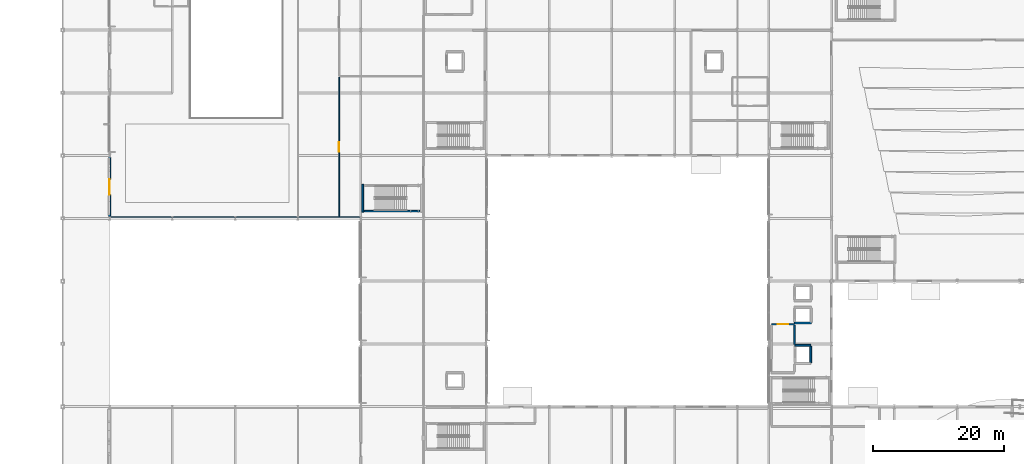
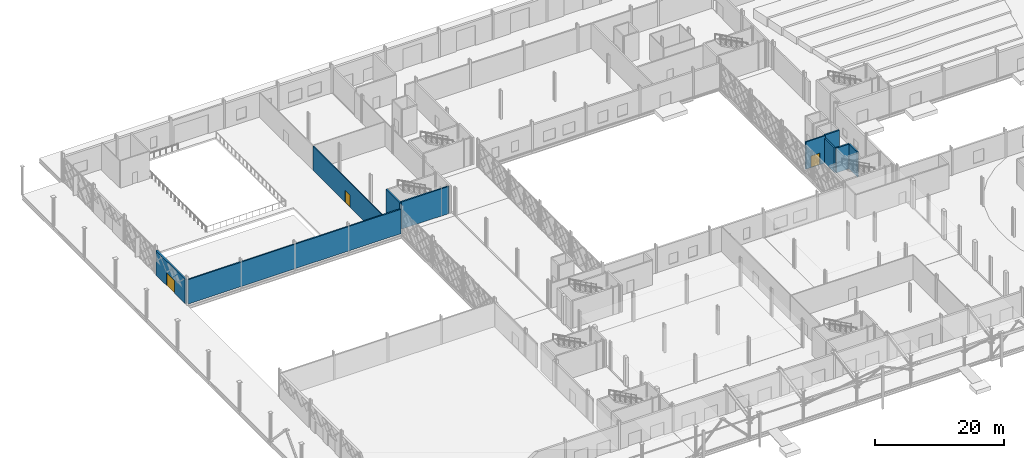
# One storey, part 54 of 84: 10 walls, 3 doors, 3 openings.
"""IFC4 building model written with IfcOpenShell, lengths in metres."""

from ifc_helpers import new_model, si_unit, direction, frame, frame_2d, origin, place, context, subcontext, project, spatial, rectangle, extrude, material, layer, layer_set, type_object, element, fill, save


model = new_model("IFC4")

# Units and contexts
model_context = context("Model", 3, precision=1e-05, world=origin(), true_north=direction((0.0, 1.0)))
body_context = subcontext(model_context, "Body", "Model", "MODEL_VIEW")
ifc_project = project(units=[si_unit("LENGTHUNIT", "METRE"), si_unit("AREAUNIT", "SQUARE_METRE"), si_unit("VOLUMEUNIT", "CUBIC_METRE"), si_unit("PLANEANGLEUNIT", "RADIAN"), si_unit("MASSUNIT", "GRAM", prefix="KILO")], contexts=[model_context])

# Site, building, storey
site_placement = place(None, origin())
site = spatial("IfcSite", under=ifc_project, at=site_placement, CompositionType="ELEMENT")
building_placement = place(site_placement, origin())
building = spatial("IfcBuilding", under=site, at=building_placement, Name="Zevrakil Square Congress Hotel", CompositionType="ELEMENT")
storey_placement = place(building_placement, origin())
storey = spatial("IfcBuildingStorey", under=building, at=storey_placement, Name="L01", CompositionType="ELEMENT", Elevation=0.0)

# Wall, opening, door
ifc_material_1 = material(Name="Concrete C35/45", Category="concrete")
ifc_layer_1 = layer(ifc_material_1, 0.239990234375)
ifc_layer_set_1 = layer_set([ifc_layer_1], Name="Concrete C35/45")
wall_type_1 = type_object("IfcWallType", Name="WAL-COMP-240", PredefinedType="SOLIDWALL", material=ifc_layer_set_1)
wall_1_placement = place(storey_placement, frame((108.39990234375, 58.199951171875, 0.0), z_axis=(0.0, 0.0, 1.0), x_axis=(1.0, 0.0, 0.0)))
wall_1 = element("IfcWall", 1, at=wall_1_placement, inside=storey, type_object=wall_type_1, Name="L01 interior partition PW-L01-0044", PredefinedType="SOLIDWALL", context=body_context, shape_type="SweptSolid", body=[
    extrude(rectangle(XDim=3.5, YDim=0.239990234375, at=frame_2d((1.75, 0.0))), origin(), (0.0, 0.0, 1.0), 5.139892578125),
])
opening_1_placement = place(wall_1_placement, frame((0.949951171875, 0.0, 0.0)))
opening_1 = element("IfcOpeningElement", 2, at=opening_1_placement, cuts=wall_1, Name="Opening FD90-D", PredefinedType="OPENING", context=body_context, shape_type="SweptSolid", body=[
    extrude(rectangle(XDim=1.60009765625, YDim=2.199951171875, at=frame_2d((0.800048828125, 1.10009765625))), frame((0.0, 0.1298828125, 0.0), z_axis=(0.0, -1.0, 0.0), x_axis=(1.0, 0.0, 0.0)), (0.0, 0.0, 1.0), 0.260009765625),
])
ifc_material_2 = material(Name="Steel S355 Double Fire Door", Category="steel")
door_type_1 = type_object("IfcDoorType", Name="DOR-FFLOB-FD90-160", OperationType="NOTDEFINED", PredefinedType="DOOR", material=ifc_material_2)
door_1_placement = place(opening_1_placement, origin())
door_1 = element("IfcDoor", 3, at=door_1_placement, inside=storey, type_object=door_type_1, Name="L01 interior door 14", OperationType="DOUBLE_DOOR_SINGLE_SWING", OverallHeight=2.199951171875, OverallWidth=1.60009765625, PredefinedType="DOOR", context=body_context, shape_type="SweptSolid", body=[
    extrude(rectangle(XDim=1.60009765625, YDim=2.199951171875, at=frame_2d((0.800048828125, 1.10009765625))), frame((0.0, 0.02490234375, 0.0), z_axis=(0.0, -1.0, 0.0), x_axis=(1.0, 0.0, 0.0)), (0.0, 0.0, 1.0), 0.050048828125),
])
fill(opening_1, door_1)

# Walls
wall_2_placement = place(storey_placement, frame((111.89990234375, 55.1201171875, 0.0), z_axis=(0.0, 0.0, 1.0), x_axis=(0.0, 1.0, 0.0)))
element("IfcWall", 4, at=wall_2_placement, inside=storey, type_object=wall_type_1, Name="L01 interior partition PW-L01-0046", PredefinedType="SOLIDWALL", context=body_context, shape_type="SweptSolid", body=[
    extrude(rectangle(XDim=2.954833984375, YDim=0.239990234375, at=frame_2d((1.4775390625, 0.0))), origin(), (0.0, 0.0, 1.0), 4.68505859375),
])
wall_3_placement = place(storey_placement, frame((7.449951171875, 74.5, 0.0), z_axis=(0.0, 0.0, 1.0), x_axis=(1.0, 0.0, 0.0)))
element("IfcWall", 5, at=wall_3_placement, inside=storey, type_object=wall_type_1, Name="L01 interior partition PW-L01-0129", PredefinedType="SOLIDWALL", context=body_context, shape_type="SweptSolid", body=[
    extrude(rectangle(XDim=38.0, YDim=0.239990234375, at=frame_2d((19.0, 0.0))), origin(), (0.0, 0.0, 1.0), 4.625),
])

# Wall, opening, door
ifc_material_3 = material(Name="Gypsum Acoustic Stud Partition")
ifc_layer_2 = layer(ifc_material_3, 0.159912109375)
ifc_layer_set_2 = layer_set([ifc_layer_2], Name="Gypsum Acoustic Stud Partition")
wall_type_2 = type_object("IfcWallType", Name="WAL-CORR-160", PredefinedType="PARTITIONING", material=ifc_layer_set_2)
wall_4_placement = place(storey_placement, frame((42.300048828125, 74.6201171875, 0.0), z_axis=(0.0, 0.0, 1.0), x_axis=(0.0, 1.0, 0.0)))
wall_4 = element("IfcWall", 6, at=wall_4_placement, inside=storey, type_object=wall_type_2, Name="L01 interior partition PW-L01-0130", PredefinedType="PARTITIONING", context=body_context, shape_type="SweptSolid", body=[
    extrude(rectangle(XDim=21.3798828125, YDim=0.159912109375, at=frame_2d((10.68994140625, 0.0))), origin(), (0.0, 0.0, 1.0), 4.5849609375),
])
opening_2_placement = place(wall_4_placement, frame((9.965087890625, 0.0, 0.0)))
opening_2 = element("IfcOpeningElement", 7, at=opening_2_placement, cuts=wall_4, Name="Opening ID-20", PredefinedType="OPENING", context=body_context, shape_type="SweptSolid", body=[
    extrude(rectangle(XDim=1.449951171875, YDim=2.239990234375, at=frame_2d((0.72509765625, 1.1201171875))), frame((0.0, 0.08984375, 0.0), z_axis=(0.0, -1.0, 0.0), x_axis=(1.0, 0.0, 0.0)), (0.0, 0.0, 1.0), 0.179931640625),
])
ifc_material_4 = material(Name="Meeting Double Fire Door")
door_type_2 = type_object("IfcDoorType", Name="DOR-INT-V10", OperationType="NOTDEFINED", PredefinedType="DOOR", material=ifc_material_4)
door_2_placement = place(opening_2_placement, origin())
door_2 = element("IfcDoor", 8, at=door_2_placement, inside=storey, type_object=door_type_2, Name="L01 interior door 49", OperationType="DOUBLE_DOOR_SINGLE_SWING", OverallHeight=2.239990234375, OverallWidth=1.449951171875, PredefinedType="DOOR", context=body_context, shape_type="SweptSolid", body=[
    extrude(rectangle(XDim=1.449951171875, YDim=2.239990234375, at=frame_2d((0.72509765625, 1.1201171875))), frame((0.0, 0.02490234375, 0.0), z_axis=(0.0, -1.0, 0.0), x_axis=(1.0, 0.0, 0.0)), (0.0, 0.0, 1.0), 0.050048828125),
])
fill(opening_2, door_2)

ifc_material_5 = material(Name="Precast concrete C40/50", Category="concrete")
ifc_layer_3 = layer(ifc_material_5, 0.280029296875)
ifc_layer_set_3 = layer_set([ifc_layer_3], Name="Precast concrete C40/50")
wall_type_3 = type_object("IfcWallType", Name="WAL-EXT-PAV-280", PredefinedType="SOLIDWALL", material=ifc_layer_set_3)
wall_5_placement = place(storey_placement, frame((7.199951171875, 74.654052734375, 0.0), z_axis=(0.0, 0.0, 1.0), x_axis=(0.0, 1.0, 0.0)))
wall_5 = element("IfcWall", 9, at=wall_5_placement, inside=storey, type_object=wall_type_3, Name="L01 exterior GRC wall EW-L01-0031", PredefinedType="SOLIDWALL", context=body_context, shape_type="SweptSolid", body=[
    extrude(rectangle(XDim=9.092041015625, YDim=0.280029296875, at=frame_2d((4.5458984375, 0.0))), origin(), (0.0, 0.0, 1.0), 4.625),
])
opening_3_placement = place(wall_5_placement, frame((3.345947265625, 0.0, 0.0)))
opening_3 = element("IfcOpeningElement", 10, at=opening_3_placement, cuts=wall_5, Name="Opening E27", PredefinedType="OPENING", context=body_context, shape_type="SweptSolid", body=[
    extrude(rectangle(XDim=2.39990234375, YDim=2.39990234375, at=frame_2d((1.199951171875, 1.199951171875))), frame((0.0, 0.14990234375, 0.0), z_axis=(0.0, -1.0, 0.0), x_axis=(1.0, 0.0, 0.0)), (0.0, 0.0, 1.0), 0.300048828125),
])
ifc_material_6 = material(Name="Aluminium Thermal-Break Glazed Door", Category="aluminium")
door_type_3 = type_object("IfcDoorType", Name="DOR-EXIT-240", OperationType="NOTDEFINED", PredefinedType="DOOR", material=ifc_material_6)
door_3_placement = place(opening_3_placement, origin())
door_3 = element("IfcDoor", 11, at=door_3_placement, inside=storey, type_object=door_type_3, Name="L01 pedestrian final exit door E27", OperationType="DOUBLE_DOOR_SINGLE_SWING", OverallHeight=2.39990234375, OverallWidth=2.39990234375, PredefinedType="DOOR", context=body_context, shape_type="SweptSolid", body=[
    extrude(rectangle(XDim=2.39990234375, YDim=2.39990234375, at=frame_2d((1.199951171875, 1.199951171875))), frame((0.0, 0.02490234375, 0.0), z_axis=(0.0, -1.0, 0.0), x_axis=(1.0, 0.0, 0.0)), (0.0, 0.0, 1.0), 0.050048828125),
])
fill(opening_3, door_3)

# Walls
ifc_material_7 = material(Name="Concrete C40/50", Category="concrete")
ifc_layer_4 = layer(ifc_material_7, 0.260009765625)
ifc_layer_set_4 = layer_set([ifc_layer_4], Name="Concrete C40/50")
wall_type_4 = type_object("IfcWallType", Name="WAL-SHAFT-260", PredefinedType="SHEAR", material=ifc_layer_set_4)
wall_6_placement = place(storey_placement, frame((45.905029296875, 75.340087890625, 0.0), z_axis=(0.0, 0.0, 1.0), x_axis=(0.0, 1.0, 0.0)))
element("IfcWall", 12, at=wall_6_placement, inside=storey, type_object=wall_type_4, Name="L01 ST14 stair shaft W wall", PredefinedType="SHEAR", context=body_context, shape_type="SweptSolid", body=[
    extrude(rectangle(XDim=4.27001953125, YDim=0.260009765625, at=frame_2d((2.135009765625, 0.0))), origin(), (0.0, 0.0, 1.0), 5.139892578125),
])
wall_7_placement = place(storey_placement, frame((46.139892578125, 75.5048828125, 0.0), z_axis=(0.0, 0.0, 1.0), x_axis=(1.0, 0.0, 0.0)))
element("IfcWall", 13, at=wall_7_placement, inside=storey, type_object=wall_type_4, Name="L01 ST14 stair shaft S wall", PredefinedType="SHEAR", context=body_context, shape_type="SweptSolid", body=[
    extrude(rectangle(XDim=8.52001953125, YDim=0.260009765625, at=frame_2d((4.260009765625, 0.0))), origin(), (0.0, 0.0, 1.0), 5.139892578125),
])
wall_8_placement = place(storey_placement, frame((112.0, 55.0, 0.0), z_axis=(0.0, 0.0, 1.0), x_axis=(1.0, 0.0, 0.0)))
element("IfcWall", 14, at=wall_8_placement, inside=storey, type_object=wall_type_4, Name="L01 FFL2 lift shaft wall", PredefinedType="SHEAR", context=body_context, shape_type="SweptSolid", body=[
    extrude(rectangle(XDim=2.39990234375, YDim=0.260009765625, at=frame_2d((1.199951171875, 0.0))), origin(), (0.0, 0.0, 1.0), 4.68505859375),
])
wall_9_placement = place(storey_placement, frame((114.39990234375, 52.340087890625, 0.0), z_axis=(0.0, 0.0, 1.0), x_axis=(0.0, 1.0, 0.0)))
element("IfcWall", 15, at=wall_9_placement, inside=storey, type_object=wall_type_4, Name="L01 FFL2 lift shaft wall", PredefinedType="SHEAR", context=body_context, shape_type="SweptSolid", body=[
    extrude(rectangle(XDim=2.52001953125, YDim=0.260009765625, at=frame_2d((1.260009765625, 0.0))), origin(), (0.0, 0.0, 1.0), 4.68505859375),
])
wall_10_placement = place(storey_placement, frame((111.89990234375, 58.39990234375, 0.0), z_axis=(0.0, 0.0, 1.0), x_axis=(1.0, 0.0, 0.0)))
element("IfcWall", 16, at=wall_10_placement, inside=storey, type_object=wall_type_4, Name="L01 CL1 lift shaft wall", PredefinedType="SHEAR", context=body_context, shape_type="SweptSolid", body=[
    extrude(rectangle(XDim=2.60009765625, YDim=0.260009765625, at=frame_2d((1.300048828125, 0.0))), origin(), (0.0, 0.0, 1.0), 5.139892578125),
])

save(model, "model.ifc")
